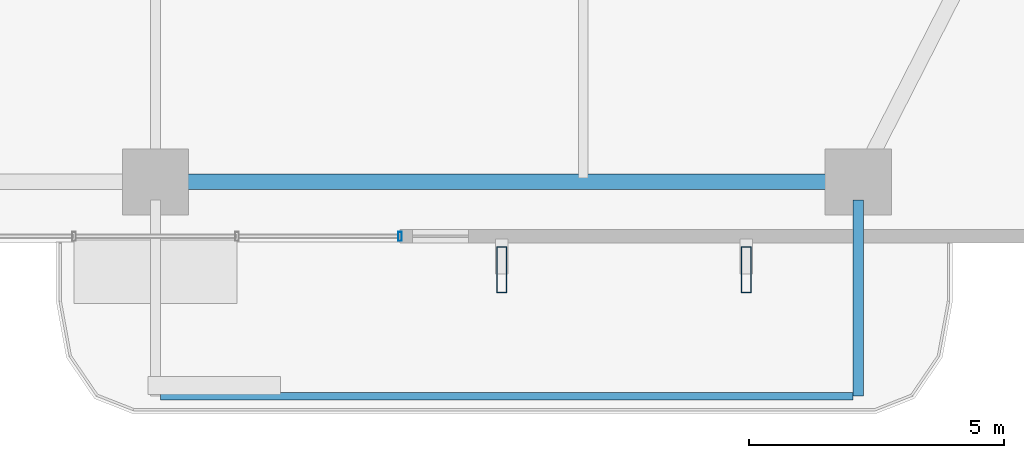
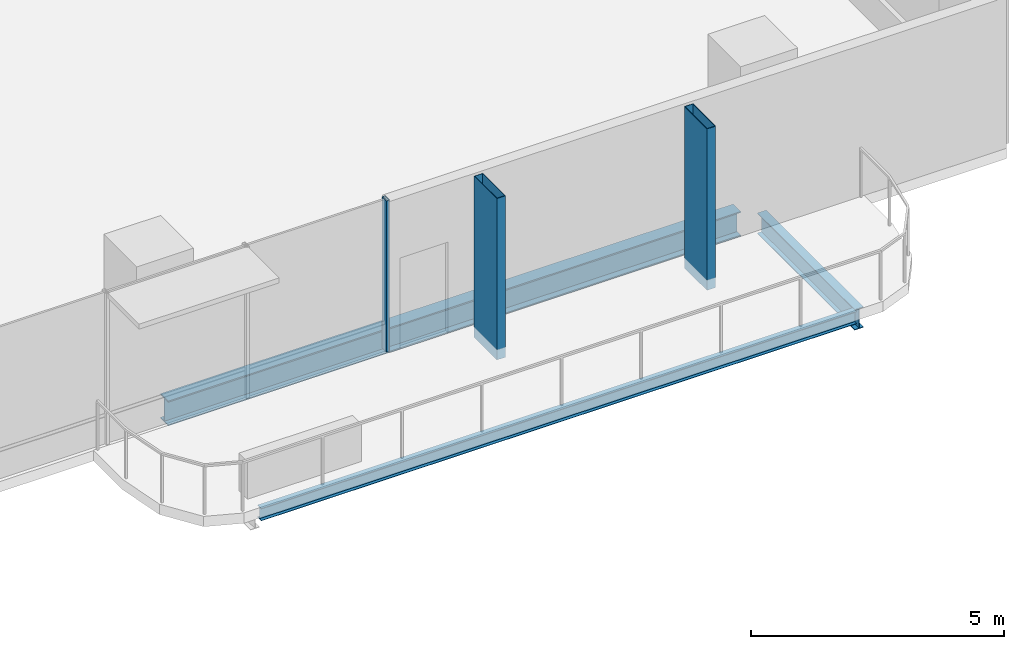
# One storey, part 6 of 24: 3 beams, 3 members, 1 element without a shape of its own.
"""IFC4 building model written with IfcOpenShell, lengths in metres."""

from ifc_helpers import new_model, si_unit, direction, frame, origin, origin_2d, place, context, subcontext, project, spatial, hollow_rectangle, i_section, extrude, material, layer, layer_set, material_profile, profile_set, type_object, element, aggregate, save


model = new_model("IFC4")

# Units and contexts
model_context = context("Model", 3, precision=1e-05, world=origin(), true_north=direction((0.0, 1.0)))
body_context = subcontext(model_context, "Body", "Model", "MODEL_VIEW")
ifc_project = project(units=[si_unit("LENGTHUNIT", "METRE"), si_unit("AREAUNIT", "SQUARE_METRE"), si_unit("VOLUMEUNIT", "CUBIC_METRE"), si_unit("PLANEANGLEUNIT", "RADIAN"), si_unit("MASSUNIT", "GRAM", prefix="KILO")], contexts=[model_context])

# Site, building, storey
site_placement = place(None, origin())
site = spatial("IfcSite", under=ifc_project, at=site_placement, CompositionType="ELEMENT")
building_placement = place(site_placement, origin())
building = spatial("IfcBuilding", under=site, at=building_placement, Name="Belovzor Exchange Tower", CompositionType="ELEMENT")
storey_placement = place(building_placement, frame((0.0, 0.0, 129.0)))
storey = spatial("IfcBuildingStorey", under=building, at=storey_placement, Name="L31", CompositionType="ELEMENT", Elevation=129.0)

# Beams
ifc_material_1 = material(Name="Steel S355", Category="steel")
ifc_material_profile_1 = material_profile(ifc_material_1, i_section(OverallWidth=0.199951171875, OverallDepth=0.5, WebThickness=0.01025390625, FlangeThickness=0.01611328125, at=origin_2d()))
ifc_profile_set_1 = profile_set([ifc_material_profile_1], Name="Steel S355")
beam_type_1 = type_object("IfcBeamType", Name="Planted Balcony Cantilever Beam IPE 500", PredefinedType="BEAM", material=ifc_profile_set_1)
beam_1_placement = place(storey_placement, frame((42.60009765625, 3.5419921875, -0.5), z_axis=(0.0, -1.0, 0.0), x_axis=(1.0, 0.0, 0.0)))
element("IfcBeam", 1, at=beam_1_placement, inside=storey, type_object=beam_type_1, Name="BC-500 Planted Balcony Cantilever Beam IPE 500", PredefinedType="BEAM", context=body_context, shape_type="SweptSolid", body=[
    extrude(i_section(OverallWidth=0.199951171875, OverallDepth=0.5, WebThickness=0.01025390625, FlangeThickness=0.01611328125, at=origin_2d()), origin(), (0.0, 0.0, 1.0), 3.85009765625),
])
ifc_material_2 = material(Name="Steel S355", Category="steel")
ifc_material_profile_2 = material_profile(ifc_material_2, i_section(OverallWidth=0.14990234375, OverallDepth=0.300048828125, WebThickness=0.007080078125, FlangeThickness=0.0107421875, at=origin_2d()))
ifc_profile_set_2 = profile_set([ifc_material_profile_2], Name="Steel S355")
beam_type_2 = type_object("IfcBeamType", Name="Planted Balcony Fascia Edge Beam IPE 300", PredefinedType="BEAM", material=ifc_profile_set_2)
beam_2_placement = place(storey_placement, frame((28.89990234375, -0.30810546875, -0.39990234375), z_axis=(1.0, 0.0, 0.0), x_axis=(0.0, 1.0, 0.0)))
element("IfcBeam", 2, at=beam_2_placement, inside=storey, type_object=beam_type_2, Name="BC-300 Planted Balcony Fascia Edge Beam IPE 300", PredefinedType="BEAM", context=body_context, shape_type="SweptSolid", body=[
    extrude(i_section(OverallWidth=0.14990234375, OverallDepth=0.300048828125, WebThickness=0.007080078125, FlangeThickness=0.0107421875, at=origin_2d()), origin(), (0.0, 0.0, 1.0), 13.60009765625),
])

# Members
ifc_material_3 = material(Name="Extruded Architectural Terracotta on Steel S355 Carrier", Category="masonry")
ifc_material_profile_3 = material_profile(ifc_material_3, hollow_rectangle(XDim=0.199951171875, YDim=0.89990234375, WallThickness=0.011962890625, at=origin_2d()))
ifc_profile_set_3 = profile_set([ifc_material_profile_3], Name="Extruded Architectural Terracotta on Steel S355 Carrier")
member_type_1 = type_object("IfcMemberType", Name="Sweeping Terracotta Baguette Fin Assembly 1250", PredefinedType="USERDEFINED", material=ifc_profile_set_3)
for number, where, z_axis, x_axis, name in (
    (3, (35.60009765625, 2.175048828125, -0.25), (0.0, 0.0, 1.0), (1.0, 0.0, 0.0), "FIN-TC125 Terracotta Facade Fin L31 S3"),
    (4, (40.39990234375, 2.175048828125, -0.25), (0.0, 0.0, 1.0), (1.0, 0.0, 0.0), "FIN-TC125 Terracotta Facade Fin L31 S4"),
):
    element("IfcMember", number, at=place(storey_placement, frame(where, z_axis=z_axis, x_axis=x_axis)), inside=storey, type_object=member_type_1, Name=name, ObjectType="FIN", PredefinedType="USERDEFINED", context=body_context, shape_type="SweptSolid", body=[
        extrude(hollow_rectangle(XDim=0.199951171875, YDim=0.89990234375, WallThickness=0.011962890625, at=origin_2d()), origin(), (0.0, 0.0, 1.0), 3.89990234375),
    ])

# Curtain wall, member
ifc_material_4 = material(Name="Anodised Aluminium Framing", Category="aluminium")
ifc_layer = layer(ifc_material_4, 0.179931640625)
ifc_layer_set = layer_set([ifc_layer], Name="Anodised Aluminium Framing")
curtain_wall_type = type_object("IfcCurtainWallType", Name="Recessed Loggia Low-Iron Triple-Glazed Curtain Wall", PredefinedType="NOTDEFINED", material=ifc_layer_set)
curtain_wall_placement = place(storey_placement, origin())
curtain_wall = element("IfcCurtainWall", 5, at=curtain_wall_placement, inside=storey, type_object=curtain_wall_type, Name="CW3 Recessed Loggia Low-Iron Triple-Glazed Curtain Wall L31", PredefinedType="NOTDEFINED")
ifc_material_5 = material(Name="Steel S355", Category="steel")
ifc_material_profile_4 = material_profile(ifc_material_5, hollow_rectangle(XDim=0.074951171875, YDim=0.179931640625, WallThickness=0.0048828125, at=origin_2d()))
ifc_profile_set_4 = profile_set([ifc_material_profile_4], Name="Steel S355")
member_type_2 = type_object("IfcMemberType", Name="Thermally Broken Curtain Wall Mullion 180x75", PredefinedType="MULLION", material=ifc_profile_set_4)
member_placement = place(storey_placement, frame((33.60009765625, 2.830078125, 0.0), z_axis=(0.0, 0.0, 1.0), x_axis=(-1.0, 0.0, 0.0)))
member = element("IfcMember", 6, at=member_placement, type_object=member_type_2, Name="CW-M180 Curtain Wall Mullion 1", PredefinedType="MULLION", context=body_context, shape_type="SweptSolid", body=[
    extrude(hollow_rectangle(XDim=0.074951171875, YDim=0.179931640625, WallThickness=0.0048828125, at=origin_2d()), origin(), (0.0, 0.0, 1.0), 3.64990234375),
])
aggregate(curtain_wall, [member])

# Beam
ifc_material_6 = material(Name="Steel S355", Category="steel")
ifc_material_profile_5 = material_profile(ifc_material_6, i_section(OverallWidth=0.300048828125, OverallDepth=0.60009765625, WebThickness=0.015380859375, FlangeThickness=0.030029296875, at=origin_2d()))
ifc_profile_set_5 = profile_set([ifc_material_profile_5], Name="Steel S355")
beam_type_3 = type_object("IfcBeamType", Name="Zone 2 Primary Perimeter Girder HEB 600", PredefinedType="BEAM", material=ifc_profile_set_5)
beam_3_placement = place(storey_placement, frame((29.157958984375, 3.89990234375, -0.550048828125), z_axis=(1.0, 0.0, 0.0), x_axis=(0.0, 1.0, 0.0)))
element("IfcBeam", 7, at=beam_3_placement, inside=storey, type_object=beam_type_3, Name="FG-Z2 Zone 2 Primary Perimeter Girder HEB 600", PredefinedType="BEAM", context=body_context, shape_type="SweptSolid", body=[
    extrude(i_section(OverallWidth=0.300048828125, OverallDepth=0.60009765625, WebThickness=0.015380859375, FlangeThickness=0.030029296875, at=origin_2d()), origin(), (0.0, 0.0, 1.0), 13.083984375),
])

save(model, "model.ifc")
